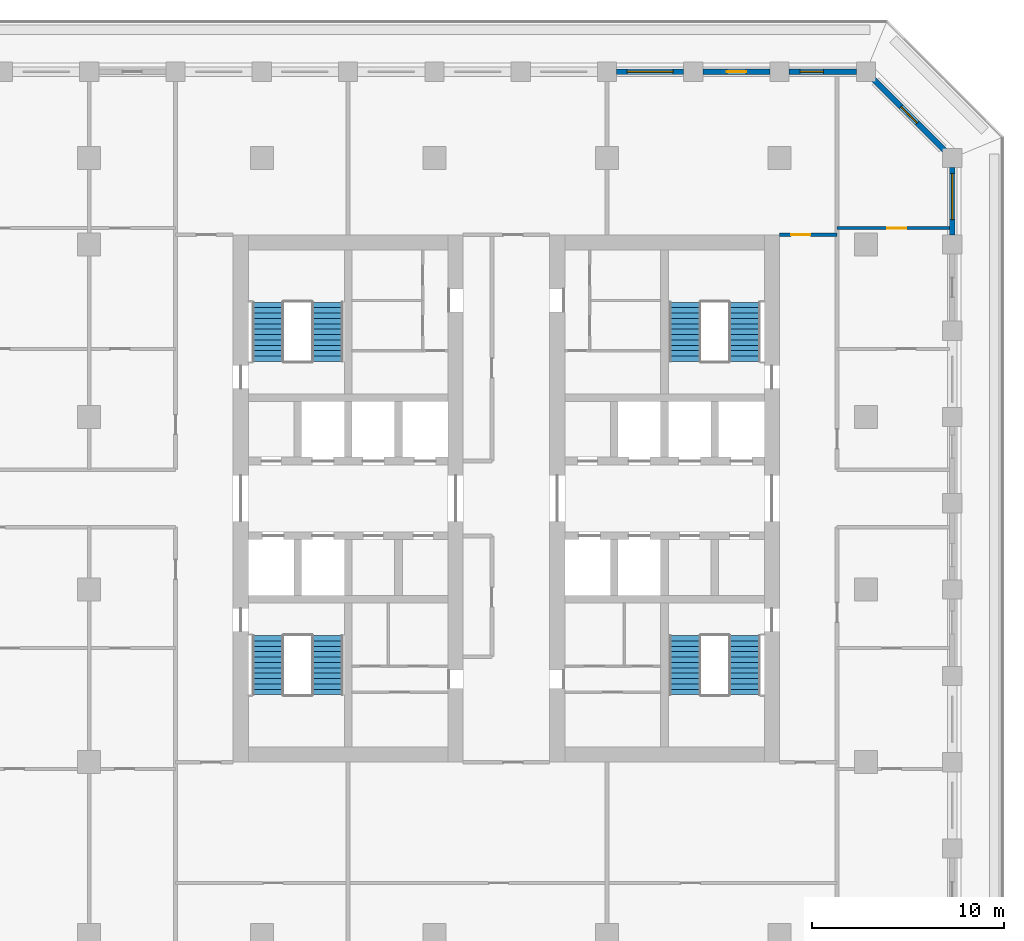
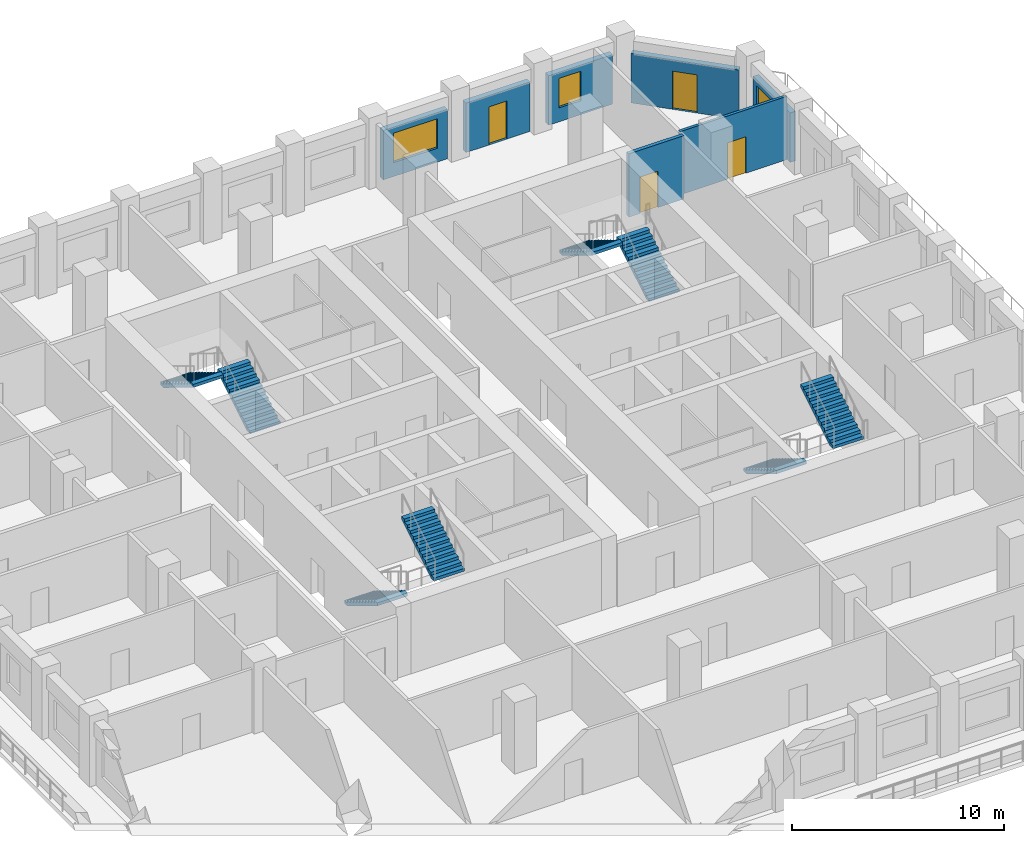
# One storey, part 8 of 16: 8 stair flights, 7 walls, 4 doors, 3 windows, 7 openings, 4 elements without a shape of their own.
"""IFC4 building model written with IfcOpenShell, lengths in metres."""

from ifc_helpers import new_model, si_unit, direction, frame, frame_2d, origin, place, context, subcontext, project, spatial, polyline, rectangle, outline, extrude, material, layer, layer_set, type_object, element, fill, aggregate, save


model = new_model("IFC4")

# Units and contexts
model_context = context("Model", 3, precision=1e-05, world=origin(), true_north=direction((0.0, 1.0)))
body_context = subcontext(model_context, "Body", "Model", "MODEL_VIEW")
ifc_project = project(units=[si_unit("LENGTHUNIT", "METRE"), si_unit("AREAUNIT", "SQUARE_METRE"), si_unit("VOLUMEUNIT", "CUBIC_METRE"), si_unit("PLANEANGLEUNIT", "RADIAN"), si_unit("MASSUNIT", "GRAM", prefix="KILO")], contexts=[model_context])

# Site, building, storey
site_placement = place(None, origin())
site = spatial("IfcSite", under=ifc_project, at=site_placement, CompositionType="ELEMENT")
building_placement = place(site_placement, origin())
building = spatial("IfcBuilding", under=site, at=building_placement, Name="Corbel Stack Research Tower", CompositionType="ELEMENT")
storey_placement = place(building_placement, frame((0.0, 0.0, 177.300048828125)))
storey = spatial("IfcBuildingStorey", under=building, at=storey_placement, Name="L40", CompositionType="ELEMENT", Elevation=177.300048828125)

# Wall, opening, door
ifc_material_1 = material(Name="Fire-rated gypsum board partition on steel studs", Category="steel")
ifc_layer_1 = layer(ifc_material_1, 0.199951171875)
ifc_layer_set_1 = layer_set([ifc_layer_1], Name="Fire-rated gypsum board partition on steel studs")
wall_type_1 = type_object("IfcWallType", Name="Fire-rated partition 200 EI 60", PredefinedType="PARTITIONING", material=ifc_layer_set_1)
wall_1_placement = place(storey_placement, frame((18.0, 18.5, 0.0), z_axis=(0.0, 0.0, 1.0), x_axis=(1.0, 0.0, 0.0)))
wall_1 = element("IfcWall", 1, at=wall_1_placement, inside=storey, type_object=wall_type_1, Name="Partition L40-043", PredefinedType="PARTITIONING", context=body_context, shape_type="SweptSolid", body=[
    extrude(rectangle(XDim=3.0, YDim=0.199951171875, at=frame_2d((1.5, 0.0))), origin(), (0.0, 0.0, 1.0), 3.64990234375),
])
opening_1_placement = place(wall_1_placement, frame((0.60009765625, 0.0, 0.0)))
opening_1 = element("IfcOpeningElement", 2, at=opening_1_placement, cuts=wall_1, Name="Opening B5V2-027", PredefinedType="OPENING", context=body_context, shape_type="SweptSolid", body=[
    extrude(rectangle(XDim=1.0, YDim=2.10009765625, at=frame_2d((0.5, 1.050048828125))), frame((0.0, 0.10986328125, 0.0), z_axis=(0.0, -1.0, 0.0), x_axis=(1.0, 0.0, 0.0)), (0.0, 0.0, 1.0), 0.219970703125),
])
ifc_material_2 = material(Name="Painted steel fire door", Category="steel")
door_type_1 = type_object("IfcDoorType", Name="Fire door FD30S 1000 x 2100", OperationType="NOTDEFINED", PredefinedType="DOOR", material=ifc_material_2)
door_1_placement = place(opening_1_placement, origin())
door_1 = element("IfcDoor", 3, at=door_1_placement, inside=storey, type_object=door_type_1, Name="Door B5V2-027", OperationType="SINGLE_SWING_LEFT", OverallHeight=2.10009765625, OverallWidth=1.0, PredefinedType="DOOR", context=body_context, shape_type="SweptSolid", body=[
    extrude(rectangle(XDim=1.0, YDim=2.10009765625, at=frame_2d((0.5, 1.050048828125))), frame((0.0, 0.02490234375, 0.0), z_axis=(0.0, -1.0, 0.0), x_axis=(1.0, 0.0, 0.0)), (0.0, 0.0, 1.0), 0.050048828125),
])
fill(opening_1, door_1)

ifc_material_3 = material(Name="Gypsum board partition on steel studs", Category="steel")
ifc_layer_2 = layer(ifc_material_3, 0.14990234375)
ifc_layer_set_2 = layer_set([ifc_layer_2], Name="Gypsum board partition on steel studs")
wall_type_2 = type_object("IfcWallType", Name="Partition 150", PredefinedType="PARTITIONING", material=ifc_layer_set_2)
wall_2_placement = place(storey_placement, frame((21.0, 18.85009765625, 0.0), z_axis=(0.0, 0.0, 1.0), x_axis=(1.0, 0.0, 0.0)))
wall_2 = element("IfcWall", 4, at=wall_2_placement, inside=storey, type_object=wall_type_2, Name="Partition L40-045", PredefinedType="PARTITIONING", context=body_context, shape_type="SweptSolid", body=[
    extrude(rectangle(XDim=5.85009765625, YDim=0.14990234375, at=frame_2d((2.925048828125, 0.0))), origin(), (0.0, 0.0, 1.0), 3.64990234375),
])
opening_2_placement = place(wall_2_placement, frame((2.60009765625, 0.0, 0.0)))
opening_2 = element("IfcOpeningElement", 5, at=opening_2_placement, cuts=wall_2, Name="Opening B5V2-030", PredefinedType="OPENING", context=body_context, shape_type="SweptSolid", body=[
    extrude(rectangle(XDim=1.0, YDim=2.10009765625, at=frame_2d((0.5, 1.050048828125))), frame((0.0, 0.0849609375, 0.0), z_axis=(0.0, -1.0, 0.0), x_axis=(1.0, 0.0, 0.0)), (0.0, 0.0, 1.0), 0.169921875),
])
ifc_material_4 = material(Name="Painted timber door", Category="wood")
door_type_2 = type_object("IfcDoorType", Name="Single door 1000 x 2100", OperationType="NOTDEFINED", PredefinedType="DOOR", material=ifc_material_4)
door_2_placement = place(opening_2_placement, origin())
door_2 = element("IfcDoor", 6, at=door_2_placement, inside=storey, type_object=door_type_2, Name="Door B5V2-030", OperationType="SINGLE_SWING_RIGHT", OverallHeight=2.10009765625, OverallWidth=1.0, PredefinedType="DOOR", context=body_context, shape_type="SweptSolid", body=[
    extrude(rectangle(XDim=1.0, YDim=2.10009765625, at=frame_2d((0.5, 1.050048828125))), frame((0.0, 0.02490234375, 0.0), z_axis=(0.0, -1.0, 0.0), x_axis=(1.0, 0.0, 0.0)), (0.0, 0.0, 1.0), 0.050048828125),
])
fill(opening_2, door_2)

# Wall, opening, window
ifc_material_5 = material(Name="Concrete C45/55", Category="concrete")
ifc_layer_3 = layer(ifc_material_5, 0.300048828125)
ifc_layer_set_3 = layer_set([ifc_layer_3], Name="Concrete C45/55")
wall_type_3 = type_object("IfcWallType", Name="Terracotta-faced concrete wall 300", PredefinedType="SOLIDWALL", material=ifc_layer_set_3)
wall_3_placement = place(storey_placement, frame((27.0, 22.0, 0.0), z_axis=(0.0, 0.0, 1.0), x_axis=(0.0, -1.0, 0.0)))
wall_3 = element("IfcWall", 7, at=wall_3_placement, inside=storey, type_object=wall_type_3, Name="Facade wall L40 E10", PredefinedType="SOLIDWALL", context=body_context, shape_type="SweptSolid", body=[
    extrude(rectangle(XDim=3.5, YDim=0.300048828125, at=frame_2d((1.75, 0.0))), origin(), (0.0, 0.0, 1.0), 2.849853515625),
])
opening_3_placement = place(wall_3_placement, frame((0.3125, 0.0, 0.800048828125)))
opening_3 = element("IfcOpeningElement", 8, at=opening_3_placement, cuts=wall_3, Name="Opening W1", PredefinedType="OPENING", context=body_context, shape_type="SweptSolid", body=[
    extrude(rectangle(XDim=2.39990234375, YDim=1.699951171875, at=frame_2d((1.199951171875, 0.85009765625))), frame((0.0, 0.159912109375, 0.0), z_axis=(0.0, -1.0, 0.0), x_axis=(1.0, 0.0, 0.0)), (0.0, 0.0, 1.0), 0.320068359375),
])
ifc_material_6 = material(Name="Aluminium frame, clear double glazing", Category="aluminium")
window_type_1 = type_object("IfcWindowType", Name="Window W1 2400 x 1700", PartitioningType="SINGLE_PANEL", PredefinedType="WINDOW", material=ifc_material_6)
window_1_placement = place(opening_3_placement, origin())
window_1 = element("IfcWindow", 9, at=window_1_placement, inside=storey, type_object=window_type_1, Name="Window W1 L40 E10", OverallHeight=1.699951171875, OverallWidth=2.39990234375, PartitioningType="SINGLE_PANEL", PredefinedType="WINDOW", context=body_context, shape_type="SweptSolid", body=[
    extrude(rectangle(XDim=2.39990234375, YDim=1.699951171875, at=frame_2d((1.199951171875, 0.85009765625))), frame((0.0, 0.030029296875, 0.0), z_axis=(0.0, -1.0, 0.0), x_axis=(1.0, 0.0, 0.0)), (0.0, 0.0, 1.0), 0.06005859375),
])
fill(opening_3, window_1)

# Wall, opening, door
wall_4_placement = place(storey_placement, frame((22.893798828125, 26.606201171875, 0.0), z_axis=(0.0, 0.0, 1.0), x_axis=(0.707106781187, -0.707106781187, 0.0)))
wall_4 = element("IfcWall", 10, at=wall_4_placement, inside=storey, type_object=wall_type_3, Name="Facade wall L40 NE01", PredefinedType="SOLIDWALL", context=body_context, shape_type="SweptSolid", body=[
    extrude(rectangle(XDim=5.250244140625, YDim=0.300048828125, at=frame_2d((2.625, 0.0))), origin(), (0.0, 0.0, 1.0), 2.849853515625),
])
opening_4_placement = place(wall_4_placement, frame((2.02490234375, 0.0, 0.0)))
opening_4 = element("IfcOpeningElement", 11, at=opening_4_placement, cuts=wall_4, Name="Opening L40-B06", PredefinedType="OPENING", context=body_context, shape_type="SweptSolid", body=[
    extrude(rectangle(XDim=1.199951171875, YDim=2.199951171875, at=frame_2d((0.60009765625, 1.10009765625))), frame((0.0, 0.159912109375, 0.0), z_axis=(0.0, -1.0, 0.0), x_axis=(1.0, 0.0, 0.0)), (0.0, 0.0, 1.0), 0.320068359375),
])
ifc_material_7 = material(Name="Aluminium frame, clear double glazing", Category="aluminium")
door_type_3 = type_object("IfcDoorType", Name="Balcony door BD2 1200 x 2200", OperationType="NOTDEFINED", PredefinedType="DOOR", material=ifc_material_7)
door_3_placement = place(opening_4_placement, origin())
door_3 = element("IfcDoor", 12, at=door_3_placement, inside=storey, type_object=door_type_3, Name="Balcony door L40-B06", OperationType="SINGLE_SWING_LEFT", OverallHeight=2.199951171875, OverallWidth=1.199951171875, PredefinedType="DOOR", context=body_context, shape_type="SweptSolid", body=[
    extrude(rectangle(XDim=1.199951171875, YDim=2.199951171875, at=frame_2d((0.60009765625, 1.10009765625))), frame((0.0, 0.02490234375, 0.0), z_axis=(0.0, -1.0, 0.0), x_axis=(1.0, 0.0, 0.0)), (0.0, 0.0, 1.0), 0.050048828125),
])
fill(opening_4, door_3)

# Wall, opening, window
wall_5_placement = place(storey_placement, frame((18.5, 27.0, 0.0), z_axis=(0.0, 0.0, 1.0), x_axis=(1.0, 0.0, 0.0)))
wall_5 = element("IfcWall", 13, at=wall_5_placement, inside=storey, type_object=wall_type_3, Name="Facade wall L40 N01", PredefinedType="SOLIDWALL", context=body_context, shape_type="SweptSolid", body=[
    extrude(rectangle(XDim=3.5, YDim=0.300048828125, at=frame_2d((1.75, 0.0))), origin(), (0.0, 0.0, 1.0), 2.849853515625),
])
opening_5_placement = place(wall_5_placement, frame((0.574951171875, 0.0, 0.800048828125)))
opening_5 = element("IfcOpeningElement", 14, at=opening_5_placement, cuts=wall_5, Name="Opening W2", PredefinedType="OPENING", context=body_context, shape_type="SweptSolid", body=[
    extrude(rectangle(XDim=1.199951171875, YDim=1.699951171875, at=frame_2d((0.60009765625, 0.85009765625))), frame((0.0, 0.159912109375, 0.0), z_axis=(0.0, -1.0, 0.0), x_axis=(1.0, 0.0, 0.0)), (0.0, 0.0, 1.0), 0.320068359375),
])
ifc_material_8 = material(Name="Aluminium frame, clear double glazing", Category="aluminium")
window_type_2 = type_object("IfcWindowType", Name="Window W2 1200 x 1700", PartitioningType="SINGLE_PANEL", PredefinedType="WINDOW", material=ifc_material_8)
window_2_placement = place(opening_5_placement, origin())
window_2 = element("IfcWindow", 15, at=window_2_placement, inside=storey, type_object=window_type_2, Name="Window W2 L40 N01", OverallHeight=1.699951171875, OverallWidth=1.199951171875, PartitioningType="SINGLE_PANEL", PredefinedType="WINDOW", context=body_context, shape_type="SweptSolid", body=[
    extrude(rectangle(XDim=1.199951171875, YDim=1.699951171875, at=frame_2d((0.60009765625, 0.85009765625))), frame((0.0, 0.030029296875, 0.0), z_axis=(0.0, -1.0, 0.0), x_axis=(1.0, 0.0, 0.0)), (0.0, 0.0, 1.0), 0.06005859375),
])
fill(opening_5, window_2)

# Wall, opening, door
wall_6_placement = place(storey_placement, frame((14.0, 27.0, 0.0), z_axis=(0.0, 0.0, 1.0), x_axis=(1.0, 0.0, 0.0)))
wall_6 = element("IfcWall", 16, at=wall_6_placement, inside=storey, type_object=wall_type_3, Name="Facade wall L40 N02", PredefinedType="SOLIDWALL", context=body_context, shape_type="SweptSolid", body=[
    extrude(rectangle(XDim=3.5, YDim=0.300048828125, at=frame_2d((1.75, 0.0))), origin(), (0.0, 0.0, 1.0), 2.849853515625),
])
opening_6_placement = place(wall_6_placement, frame((1.25, 0.0, 0.0)))
opening_6 = element("IfcOpeningElement", 17, at=opening_6_placement, cuts=wall_6, Name="Opening L40-B07", PredefinedType="OPENING", context=body_context, shape_type="SweptSolid", body=[
    extrude(rectangle(XDim=1.0, YDim=2.199951171875, at=frame_2d((0.5, 1.10009765625))), frame((0.0, 0.159912109375, 0.0), z_axis=(0.0, -1.0, 0.0), x_axis=(1.0, 0.0, 0.0)), (0.0, 0.0, 1.0), 0.320068359375),
])
ifc_material_9 = material(Name="Aluminium frame, clear double glazing", Category="aluminium")
door_type_4 = type_object("IfcDoorType", Name="Balcony door BD1 1000 x 2200", OperationType="NOTDEFINED", PredefinedType="DOOR", material=ifc_material_9)
door_4_placement = place(opening_6_placement, origin())
door_4 = element("IfcDoor", 18, at=door_4_placement, inside=storey, type_object=door_type_4, Name="Balcony door L40-B07", OperationType="SINGLE_SWING_RIGHT", OverallHeight=2.199951171875, OverallWidth=1.0, PredefinedType="DOOR", context=body_context, shape_type="SweptSolid", body=[
    extrude(rectangle(XDim=1.0, YDim=2.199951171875, at=frame_2d((0.5, 1.10009765625))), frame((0.0, 0.02490234375, 0.0), z_axis=(0.0, -1.0, 0.0), x_axis=(1.0, 0.0, 0.0)), (0.0, 0.0, 1.0), 0.050048828125),
])
fill(opening_6, door_4)

# Wall, opening, window
wall_7_placement = place(storey_placement, frame((9.5, 27.0, 0.0), z_axis=(0.0, 0.0, 1.0), x_axis=(1.0, 0.0, 0.0)))
wall_7 = element("IfcWall", 19, at=wall_7_placement, inside=storey, type_object=wall_type_3, Name="Facade wall L40 N03", PredefinedType="SOLIDWALL", context=body_context, shape_type="SweptSolid", body=[
    extrude(rectangle(XDim=3.5, YDim=0.300048828125, at=frame_2d((1.75, 0.0))), origin(), (0.0, 0.0, 1.0), 2.849853515625),
])
opening_7_placement = place(wall_7_placement, frame((0.550048828125, 0.0, 0.800048828125)))
opening_7 = element("IfcOpeningElement", 20, at=opening_7_placement, cuts=wall_7, Name="Opening W1", PredefinedType="OPENING", context=body_context, shape_type="SweptSolid", body=[
    extrude(rectangle(XDim=2.39990234375, YDim=1.699951171875, at=frame_2d((1.199951171875, 0.85009765625))), frame((0.0, 0.159912109375, 0.0), z_axis=(0.0, -1.0, 0.0), x_axis=(1.0, 0.0, 0.0)), (0.0, 0.0, 1.0), 0.320068359375),
])
window_3_placement = place(opening_7_placement, origin())
window_3 = element("IfcWindow", 21, at=window_3_placement, inside=storey, type_object=window_type_1, Name="Window W1 L40 N03", OverallHeight=1.699951171875, OverallWidth=2.39990234375, PartitioningType="SINGLE_PANEL", PredefinedType="WINDOW", context=body_context, shape_type="SweptSolid", body=[
    extrude(rectangle(XDim=2.39990234375, YDim=1.699951171875, at=frame_2d((1.199951171875, 0.85009765625))), frame((0.0, 0.030029296875, 0.0), z_axis=(0.0, -1.0, 0.0), x_axis=(1.0, 0.0, 0.0)), (0.0, 0.0, 1.0), 0.06005859375),
])
fill(opening_7, window_3)

# Stair, stair flights
ifc_material_10 = material(Name="Concrete C40/50", Category="concrete")
stair_type = type_object("IfcStairType", Name="Exit stair 24 risers", PredefinedType="HALF_TURN_STAIR", material=ifc_material_10)
stair_1_placement = place(storey_placement, origin())
stair_1 = element("IfcStair", 22, at=stair_1_placement, inside=storey, type_object=stair_type, Name="L40 Exit stair ST-W1", PredefinedType="HALF_TURN_STAIR")
ifc_material_11 = material(Name="Concrete C40/50", Category="concrete")
stair_flight_type = type_object("IfcStairFlightType", Name="Stair flight 12 risers", PredefinedType="STRAIGHT", material=ifc_material_11)
stair_flight_1_placement = place(storey_placement, frame((-8.675048828125, -2.39990234375, 0.0), z_axis=(0.0, 0.0, 1.0), x_axis=(0.0, -1.0, 0.0)))
stair_flight_1 = element("IfcStairFlight", 23, at=stair_flight_1_placement, type_object=stair_flight_type, Name="ST-W1 flight 1", NumberOfRisers=12, NumberOfTreads=11, PredefinedType="STRAIGHT", RiserHeight=0.170833333, TreadLength=0.28, context=body_context, shape_type="SweptSolid", body=[
    extrude(outline(polyline([(0.0, 0.0), (0.0, 0.1708984375), (0.280029296875, 0.1708984375), (0.280029296875, 0.341552734375), (0.56005859375, 0.341552734375), (0.56005859375, 0.512451171875), (0.840087890625, 0.512451171875), (0.840087890625, 0.683349609375), (1.1201171875, 0.683349609375), (1.1201171875, 0.854248046875), (1.39990234375, 0.854248046875), (1.39990234375, 1.02490234375), (1.679931640625, 1.02490234375), (1.679931640625, 1.19580078125), (1.9599609375, 1.19580078125), (1.9599609375, 1.36669921875), (2.239990234375, 1.36669921875), (2.239990234375, 1.53759765625), (2.52001953125, 1.53759765625), (2.52001953125, 1.708251953125), (2.800048828125, 1.708251953125), (2.800048828125, 1.879150390625), (3.080078125, 1.879150390625), (3.080078125, 2.050048828125), (3.080078125, 1.70361328125), (0.287841796875, 0.0), (0.0, 0.0)])), frame((0.0, 0.824951171875, 0.0), z_axis=(0.0, -1.0, 0.0), x_axis=(1.0, 0.0, 0.0)), (0.0, 0.0, 1.0), 1.64990234375),
])
stair_flight_2_placement = place(storey_placement, frame((-5.574951171875, -5.47998046875, 2.050048828125), z_axis=(0.0, 0.0, 1.0), x_axis=(0.0, 1.0, 0.0)))
stair_flight_2 = element("IfcStairFlight", 24, at=stair_flight_2_placement, type_object=stair_flight_type, Name="ST-W1 flight 2", NumberOfRisers=12, NumberOfTreads=11, PredefinedType="STRAIGHT", RiserHeight=0.170833333, TreadLength=0.28, context=body_context, shape_type="SweptSolid", body=[
    extrude(outline(polyline([(0.0, 0.0), (0.0, 0.1708984375), (0.280029296875, 0.1708984375), (0.280029296875, 0.341552734375), (0.56005859375, 0.341552734375), (0.56005859375, 0.512451171875), (0.840087890625, 0.512451171875), (0.840087890625, 0.683349609375), (1.1201171875, 0.683349609375), (1.1201171875, 0.854248046875), (1.39990234375, 0.854248046875), (1.39990234375, 1.02490234375), (1.679931640625, 1.02490234375), (1.679931640625, 1.19580078125), (1.9599609375, 1.19580078125), (1.9599609375, 1.36669921875), (2.239990234375, 1.36669921875), (2.239990234375, 1.53759765625), (2.52001953125, 1.53759765625), (2.52001953125, 1.708251953125), (2.800048828125, 1.708251953125), (2.800048828125, 1.879150390625), (3.080078125, 1.879150390625), (3.080078125, 2.050048828125), (3.080078125, 1.70361328125), (0.287841796875, 0.0), (0.0, 0.0)])), frame((0.0, 0.824951171875, 0.0), z_axis=(0.0, -1.0, 0.0), x_axis=(1.0, 0.0, 0.0)), (0.0, 0.0, 1.0), 1.64990234375),
])
aggregate(stair_1, [stair_flight_1, stair_flight_2])

stair_2_placement = place(storey_placement, origin())
stair_2 = element("IfcStair", 25, at=stair_2_placement, inside=storey, type_object=stair_type, Name="L40 Exit stair ST-W2", PredefinedType="HALF_TURN_STAIR")
stair_flight_3_placement = place(storey_placement, frame((-5.574951171875, 11.89990234375, 0.0), z_axis=(0.0, 0.0, 1.0), x_axis=(0.0, 1.0, 0.0)))
stair_flight_3 = element("IfcStairFlight", 26, at=stair_flight_3_placement, type_object=stair_flight_type, Name="ST-W2 flight 1", NumberOfRisers=12, NumberOfTreads=11, PredefinedType="STRAIGHT", RiserHeight=0.170833333, TreadLength=0.28, context=body_context, shape_type="SweptSolid", body=[
    extrude(outline(polyline([(0.0, 0.0), (0.0, 0.1708984375), (0.280029296875, 0.1708984375), (0.280029296875, 0.341552734375), (0.56005859375, 0.341552734375), (0.56005859375, 0.512451171875), (0.840087890625, 0.512451171875), (0.840087890625, 0.683349609375), (1.1201171875, 0.683349609375), (1.1201171875, 0.854248046875), (1.39990234375, 0.854248046875), (1.39990234375, 1.02490234375), (1.679931640625, 1.02490234375), (1.679931640625, 1.19580078125), (1.9599609375, 1.19580078125), (1.9599609375, 1.36669921875), (2.239990234375, 1.36669921875), (2.239990234375, 1.53759765625), (2.52001953125, 1.53759765625), (2.52001953125, 1.708251953125), (2.800048828125, 1.708251953125), (2.800048828125, 1.879150390625), (3.080078125, 1.879150390625), (3.080078125, 2.050048828125), (3.080078125, 1.70361328125), (0.287841796875, 0.0), (0.0, 0.0)])), frame((0.0, 0.824951171875, 0.0), z_axis=(0.0, -1.0, 0.0), x_axis=(1.0, 0.0, 0.0)), (0.0, 0.0, 1.0), 1.64990234375),
])
stair_flight_4_placement = place(storey_placement, frame((-8.675048828125, 14.97998046875, 2.050048828125), z_axis=(0.0, 0.0, 1.0), x_axis=(0.0, -1.0, 0.0)))
stair_flight_4 = element("IfcStairFlight", 27, at=stair_flight_4_placement, type_object=stair_flight_type, Name="ST-W2 flight 2", NumberOfRisers=12, NumberOfTreads=11, PredefinedType="STRAIGHT", RiserHeight=0.170833333, TreadLength=0.28, context=body_context, shape_type="SweptSolid", body=[
    extrude(outline(polyline([(0.0, 0.0), (0.0, 0.1708984375), (0.280029296875, 0.1708984375), (0.280029296875, 0.341552734375), (0.56005859375, 0.341552734375), (0.56005859375, 0.512451171875), (0.840087890625, 0.512451171875), (0.840087890625, 0.683349609375), (1.1201171875, 0.683349609375), (1.1201171875, 0.854248046875), (1.39990234375, 0.854248046875), (1.39990234375, 1.02490234375), (1.679931640625, 1.02490234375), (1.679931640625, 1.19580078125), (1.9599609375, 1.19580078125), (1.9599609375, 1.36669921875), (2.239990234375, 1.36669921875), (2.239990234375, 1.53759765625), (2.52001953125, 1.53759765625), (2.52001953125, 1.708251953125), (2.800048828125, 1.708251953125), (2.800048828125, 1.879150390625), (3.080078125, 1.879150390625), (3.080078125, 2.050048828125), (3.080078125, 1.70361328125), (0.287841796875, 0.0), (0.0, 0.0)])), frame((0.0, 0.824951171875, 0.0), z_axis=(0.0, -1.0, 0.0), x_axis=(1.0, 0.0, 0.0)), (0.0, 0.0, 1.0), 1.64990234375),
])
aggregate(stair_2, [stair_flight_3, stair_flight_4])

stair_3_placement = place(storey_placement, origin())
stair_3 = element("IfcStair", 28, at=stair_3_placement, inside=storey, type_object=stair_type, Name="L40 Exit stair ST-E1", PredefinedType="HALF_TURN_STAIR")
stair_flight_5_placement = place(storey_placement, frame((13.074951171875, -2.39990234375, 0.0), z_axis=(0.0, 0.0, 1.0), x_axis=(0.0, -1.0, 0.0)))
stair_flight_5 = element("IfcStairFlight", 29, at=stair_flight_5_placement, type_object=stair_flight_type, Name="ST-E1 flight 1", NumberOfRisers=12, NumberOfTreads=11, PredefinedType="STRAIGHT", RiserHeight=0.170833333, TreadLength=0.28, context=body_context, shape_type="SweptSolid", body=[
    extrude(outline(polyline([(0.0, 0.0), (0.0, 0.1708984375), (0.280029296875, 0.1708984375), (0.280029296875, 0.341552734375), (0.56005859375, 0.341552734375), (0.56005859375, 0.512451171875), (0.840087890625, 0.512451171875), (0.840087890625, 0.683349609375), (1.1201171875, 0.683349609375), (1.1201171875, 0.854248046875), (1.39990234375, 0.854248046875), (1.39990234375, 1.02490234375), (1.679931640625, 1.02490234375), (1.679931640625, 1.19580078125), (1.9599609375, 1.19580078125), (1.9599609375, 1.36669921875), (2.239990234375, 1.36669921875), (2.239990234375, 1.53759765625), (2.52001953125, 1.53759765625), (2.52001953125, 1.708251953125), (2.800048828125, 1.708251953125), (2.800048828125, 1.879150390625), (3.080078125, 1.879150390625), (3.080078125, 2.050048828125), (3.080078125, 1.70361328125), (0.287841796875, 0.0), (0.0, 0.0)])), frame((0.0, 0.824951171875, 0.0), z_axis=(0.0, -1.0, 0.0), x_axis=(1.0, 0.0, 0.0)), (0.0, 0.0, 1.0), 1.64990234375),
])
stair_flight_6_placement = place(storey_placement, frame((16.175048828125, -5.47998046875, 2.050048828125), z_axis=(0.0, 0.0, 1.0), x_axis=(0.0, 1.0, 0.0)))
stair_flight_6 = element("IfcStairFlight", 30, at=stair_flight_6_placement, type_object=stair_flight_type, Name="ST-E1 flight 2", NumberOfRisers=12, NumberOfTreads=11, PredefinedType="STRAIGHT", RiserHeight=0.170833333, TreadLength=0.28, context=body_context, shape_type="SweptSolid", body=[
    extrude(outline(polyline([(0.0, 0.0), (0.0, 0.1708984375), (0.280029296875, 0.1708984375), (0.280029296875, 0.341552734375), (0.56005859375, 0.341552734375), (0.56005859375, 0.512451171875), (0.840087890625, 0.512451171875), (0.840087890625, 0.683349609375), (1.1201171875, 0.683349609375), (1.1201171875, 0.854248046875), (1.39990234375, 0.854248046875), (1.39990234375, 1.02490234375), (1.679931640625, 1.02490234375), (1.679931640625, 1.19580078125), (1.9599609375, 1.19580078125), (1.9599609375, 1.36669921875), (2.239990234375, 1.36669921875), (2.239990234375, 1.53759765625), (2.52001953125, 1.53759765625), (2.52001953125, 1.708251953125), (2.800048828125, 1.708251953125), (2.800048828125, 1.879150390625), (3.080078125, 1.879150390625), (3.080078125, 2.050048828125), (3.080078125, 1.70361328125), (0.287841796875, 0.0), (0.0, 0.0)])), frame((0.0, 0.824951171875, 0.0), z_axis=(0.0, -1.0, 0.0), x_axis=(1.0, 0.0, 0.0)), (0.0, 0.0, 1.0), 1.64990234375),
])
aggregate(stair_3, [stair_flight_5, stair_flight_6])

stair_4_placement = place(storey_placement, origin())
stair_4 = element("IfcStair", 31, at=stair_4_placement, inside=storey, type_object=stair_type, Name="L40 Exit stair ST-E2", PredefinedType="HALF_TURN_STAIR")
stair_flight_7_placement = place(storey_placement, frame((16.175048828125, 11.89990234375, 0.0), z_axis=(0.0, 0.0, 1.0), x_axis=(0.0, 1.0, 0.0)))
stair_flight_7 = element("IfcStairFlight", 32, at=stair_flight_7_placement, type_object=stair_flight_type, Name="ST-E2 flight 1", NumberOfRisers=12, NumberOfTreads=11, PredefinedType="STRAIGHT", RiserHeight=0.170833333, TreadLength=0.28, context=body_context, shape_type="SweptSolid", body=[
    extrude(outline(polyline([(0.0, 0.0), (0.0, 0.1708984375), (0.280029296875, 0.1708984375), (0.280029296875, 0.341552734375), (0.56005859375, 0.341552734375), (0.56005859375, 0.512451171875), (0.840087890625, 0.512451171875), (0.840087890625, 0.683349609375), (1.1201171875, 0.683349609375), (1.1201171875, 0.854248046875), (1.39990234375, 0.854248046875), (1.39990234375, 1.02490234375), (1.679931640625, 1.02490234375), (1.679931640625, 1.19580078125), (1.9599609375, 1.19580078125), (1.9599609375, 1.36669921875), (2.239990234375, 1.36669921875), (2.239990234375, 1.53759765625), (2.52001953125, 1.53759765625), (2.52001953125, 1.708251953125), (2.800048828125, 1.708251953125), (2.800048828125, 1.879150390625), (3.080078125, 1.879150390625), (3.080078125, 2.050048828125), (3.080078125, 1.70361328125), (0.287841796875, 0.0), (0.0, 0.0)])), frame((0.0, 0.824951171875, 0.0), z_axis=(0.0, -1.0, 0.0), x_axis=(1.0, 0.0, 0.0)), (0.0, 0.0, 1.0), 1.64990234375),
])
stair_flight_8_placement = place(storey_placement, frame((13.074951171875, 14.97998046875, 2.050048828125), z_axis=(0.0, 0.0, 1.0), x_axis=(0.0, -1.0, 0.0)))
stair_flight_8 = element("IfcStairFlight", 33, at=stair_flight_8_placement, type_object=stair_flight_type, Name="ST-E2 flight 2", NumberOfRisers=12, NumberOfTreads=11, PredefinedType="STRAIGHT", RiserHeight=0.170833333, TreadLength=0.28, context=body_context, shape_type="SweptSolid", body=[
    extrude(outline(polyline([(0.0, 0.0), (0.0, 0.1708984375), (0.280029296875, 0.1708984375), (0.280029296875, 0.341552734375), (0.56005859375, 0.341552734375), (0.56005859375, 0.512451171875), (0.840087890625, 0.512451171875), (0.840087890625, 0.683349609375), (1.1201171875, 0.683349609375), (1.1201171875, 0.854248046875), (1.39990234375, 0.854248046875), (1.39990234375, 1.02490234375), (1.679931640625, 1.02490234375), (1.679931640625, 1.19580078125), (1.9599609375, 1.19580078125), (1.9599609375, 1.36669921875), (2.239990234375, 1.36669921875), (2.239990234375, 1.53759765625), (2.52001953125, 1.53759765625), (2.52001953125, 1.708251953125), (2.800048828125, 1.708251953125), (2.800048828125, 1.879150390625), (3.080078125, 1.879150390625), (3.080078125, 2.050048828125), (3.080078125, 1.70361328125), (0.287841796875, 0.0), (0.0, 0.0)])), frame((0.0, 0.824951171875, 0.0), z_axis=(0.0, -1.0, 0.0), x_axis=(1.0, 0.0, 0.0)), (0.0, 0.0, 1.0), 1.64990234375),
])
aggregate(stair_4, [stair_flight_7, stair_flight_8])

save(model, "model.ifc")
